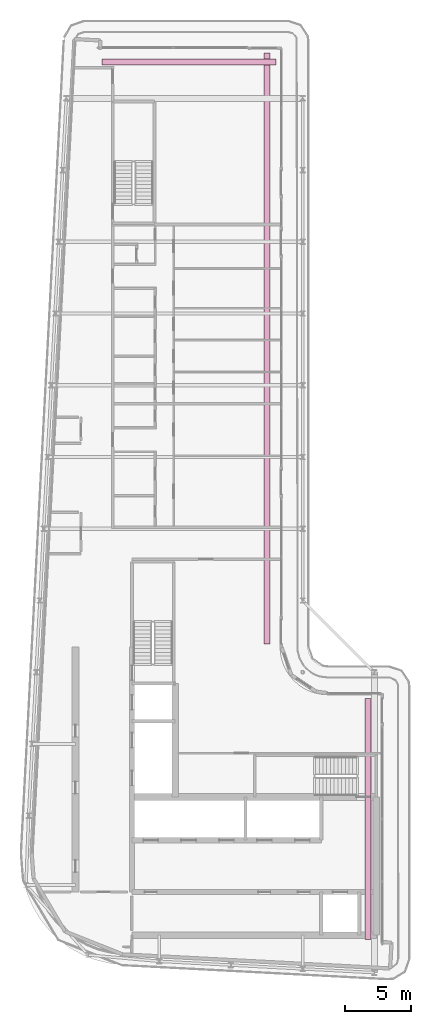
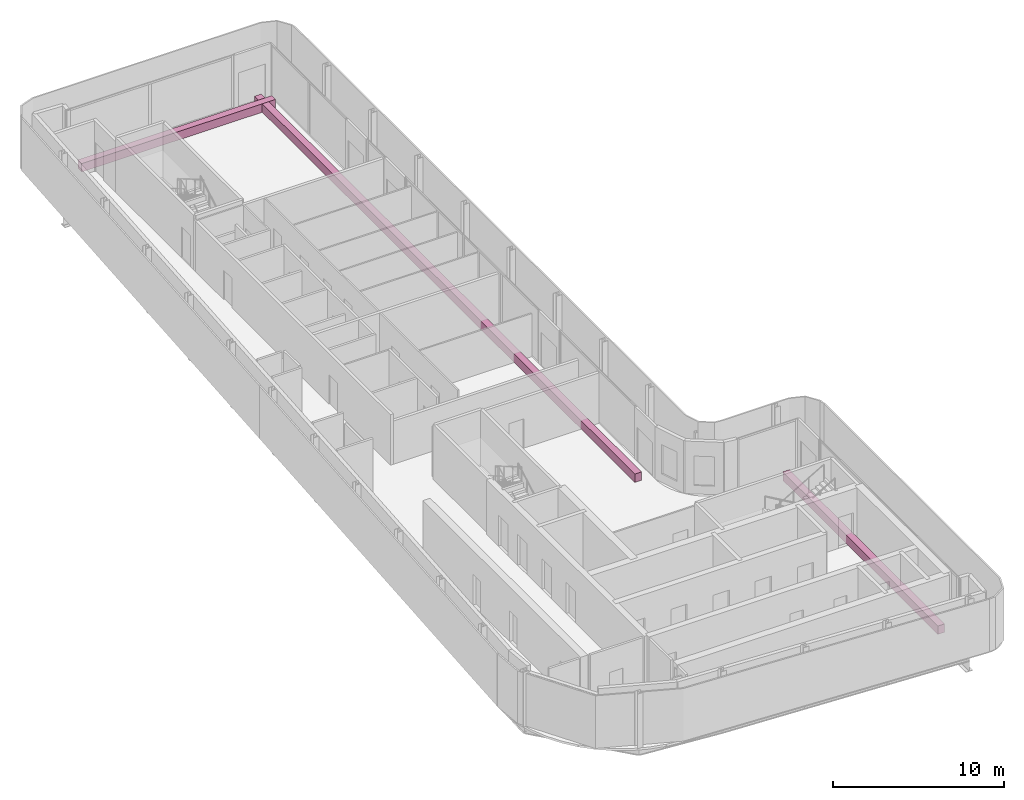
# One storey, part 19 of 19: 3 furniture elements.
"""IFC4 building model written with IfcOpenShell, lengths in metres."""

from ifc_helpers import new_model, si_unit, direction, frame, origin, origin_2d, place, context, subcontext, project, spatial, rectangle, extrude, material, type_object, element, save


model = new_model("IFC4")

# Units and contexts
model_context = context("Model", 3, precision=1e-05, world=origin(), true_north=direction((0.0, 1.0)))
body_context = subcontext(model_context, "Body", "Model", "MODEL_VIEW")
ifc_project = project(units=[si_unit("LENGTHUNIT", "METRE"), si_unit("AREAUNIT", "SQUARE_METRE"), si_unit("VOLUMEUNIT", "CUBIC_METRE"), si_unit("PLANEANGLEUNIT", "RADIAN"), si_unit("MASSUNIT", "GRAM", prefix="KILO")], contexts=[model_context])

# Site, building, storey
site_placement = place(None, origin())
site = spatial("IfcSite", under=ifc_project, at=site_placement, CompositionType="ELEMENT")
building_placement = place(site_placement, origin())
building = spatial("IfcBuilding", under=site, at=building_placement, Name="Kheshtan School and Residences Tower", CompositionType="ELEMENT")
storey_placement = place(building_placement, frame((0.0, 0.0, 353.89990234375)))
storey = spatial("IfcBuildingStorey", under=building, at=storey_placement, Name="L83", CompositionType="ELEMENT", Elevation=353.89990234375)

# Furniture
ifc_material = material(Name="Precast concrete C30/37 in terracotta finish", Category="masonry")
furniture_type = type_object("IfcFurnitureType", Name="Planter trough", AssemblyPlace="NOTDEFINED", PredefinedType="USERDEFINED", material=ifc_material)
furniture_1_placement = place(storey_placement, frame((39.053955078125, 91.52490234375, 0.0), z_axis=(0.0, 0.0, 1.0), x_axis=(1.0, 0.0, 0.0)))
element("IfcFurniture", 1, at=furniture_1_placement, inside=storey, type_object=furniture_type, Name="Planter L83", ObjectType="PLANTER", PredefinedType="USERDEFINED", context=body_context, shape_type="SweptSolid", body=[
    extrude(rectangle(XDim=13.092041015625, YDim=0.449951171875, at=origin_2d()), origin(), (0.0, 0.0, 1.0), 0.60009765625),
])
furniture_2_placement = place(storey_placement, frame((44.925048828125, 69.965087890625, 0.0), z_axis=(0.0, 0.0, 1.0), x_axis=(0.0, -1.0, 0.0)))
element("IfcFurniture", 2, at=furniture_2_placement, inside=storey, type_object=furniture_type, Name="Planter L83", ObjectType="PLANTER", PredefinedType="USERDEFINED", context=body_context, shape_type="SweptSolid", body=[
    extrude(rectangle(XDim=44.469970703125, YDim=0.449951171875, at=origin_2d()), origin(), (0.0, 0.0, 1.0), 0.60009765625),
])
furniture_3_placement = place(storey_placement, frame((52.52490234375, 34.528076171875, 0.0), z_axis=(0.0, 0.0, 1.0), x_axis=(0.0, -1.0, 0.0)))
element("IfcFurniture", 3, at=furniture_3_placement, inside=storey, type_object=furniture_type, Name="Planter L83", ObjectType="PLANTER", PredefinedType="USERDEFINED", context=body_context, shape_type="SweptSolid", body=[
    extrude(rectangle(XDim=18.14404296875, YDim=0.449951171875, at=origin_2d()), origin(), (0.0, 0.0, 1.0), 0.60009765625),
])

save(model, "model.ifc")
